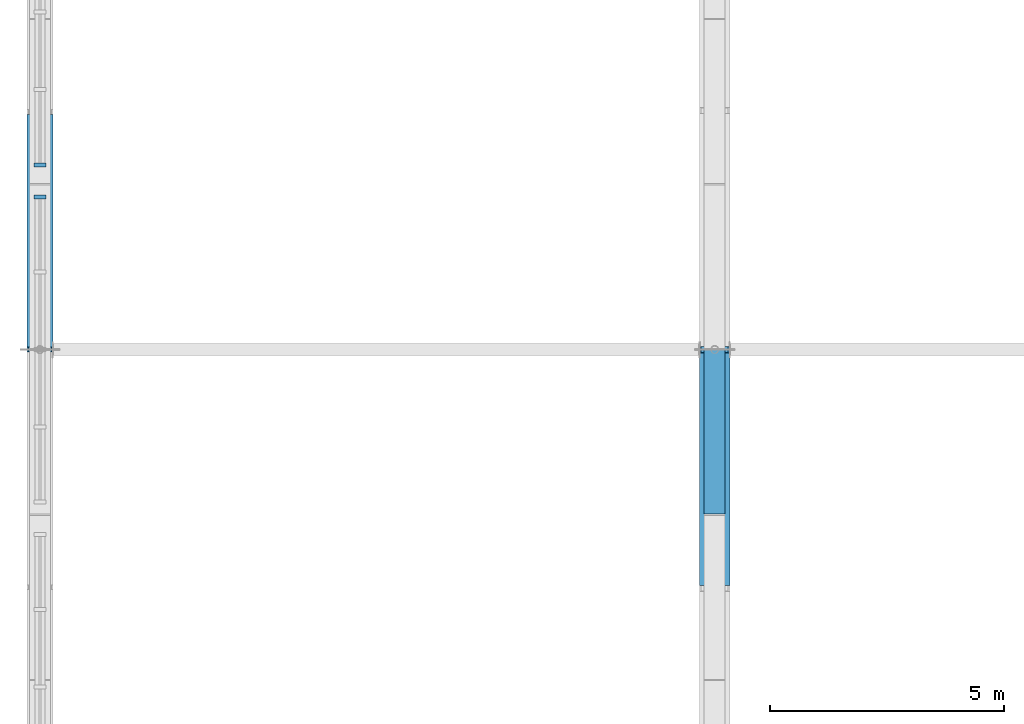
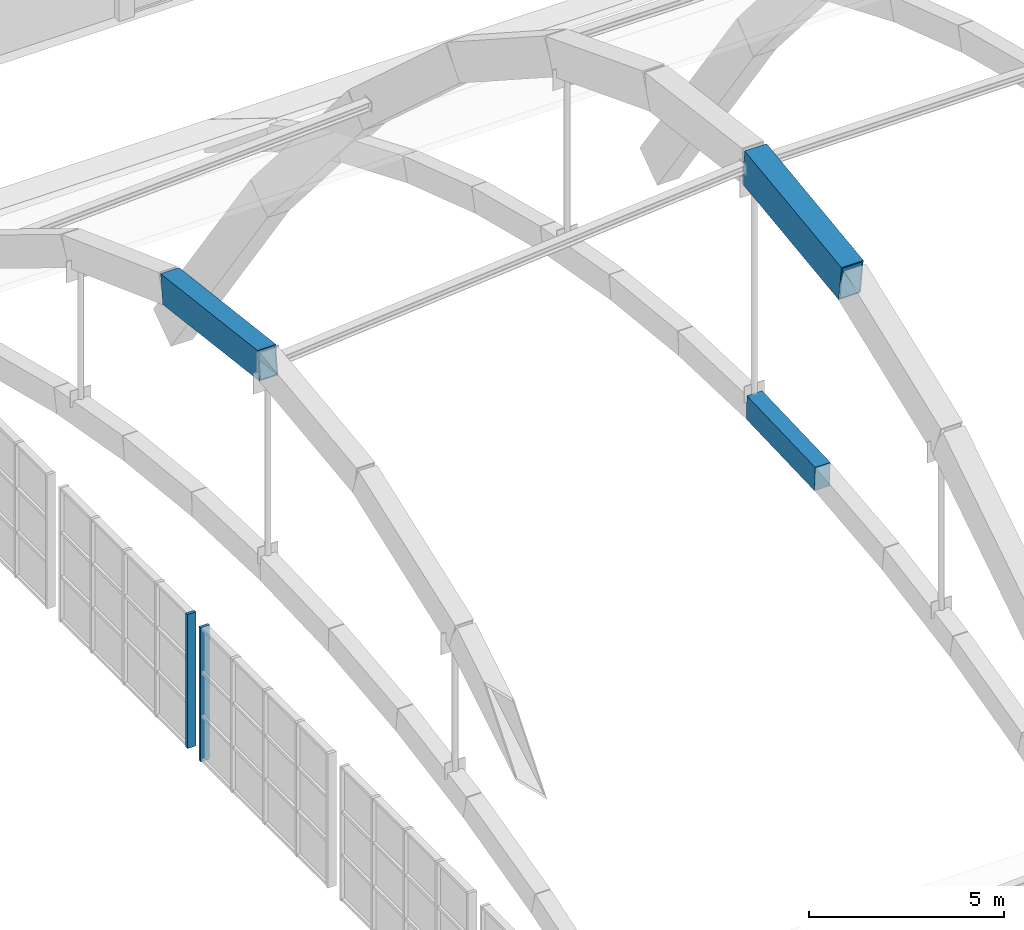
# One storey, part 6 of 64: 4 members, 1 beam, 2 elements without a shape of their own.
"""IFC4 building model written with IfcOpenShell, lengths in metres."""

import ifcopenshell
import ifcopenshell.guid

model = None  # the IFC model being written
_history = None  # IfcOwnerHistory: only IFC2X3 demands one
_inside = {}  # id of a spatial element -> (the spatial element, [elements in it])
_under = {}  # id of a project, library or spatial element -> (it, [spatial elements below it])
_declared = {}  # id of a project -> (the project, [libraries it declares])
_typed = {}  # id of a type object -> (the type object, [elements of that type])
_made_of = {}  # id of a material, layer set ... -> (it, [elements and type objects made of it])


def new_model(schema):
    """Start an empty IFC model of exactly this schema.

    Asked for "IFC4X3", IfcOpenShell would pick the latest addendum, in which some entities
    have other attributes; the version numbers below select the first issue.
    IFC2X3 requires an IfcOwnerHistory on every rooted entity: one is made here for all.
    """
    global model, _history
    if schema == "IFC4X3":
        model = ifcopenshell.file(schema_version=(4, 3, 0, 0))
    else:
        model = ifcopenshell.file(schema=schema)
    _inside.clear()
    _under.clear()
    _declared.clear()
    _typed.clear()
    _made_of.clear()
    _history = None
    if model.schema == "IFC2X3":
        org = make("IfcOrganization", Name="unknown")
        user = make(
            "IfcPersonAndOrganization",
            ThePerson=make("IfcPerson", FamilyName="unknown"),
            TheOrganization=org,
        )
        app = make(
            "IfcApplication",
            ApplicationDeveloper=org,
            Version="unknown",
            ApplicationFullName="unknown",
            ApplicationIdentifier="unknown",
        )
        _history = make(
            "IfcOwnerHistory",
            OwningUser=user,
            OwningApplication=app,
            ChangeAction="ADDED",
            CreationDate=0,
        )
    return model


def make(cls, **values):
    """One entity of the class cls with the attributes given. An attribute that is None is left unset."""
    return model.create_entity(
        cls, **{name: value for name, value in values.items() if value is not None}
    )


def rooted(cls, **values):
    """An entity with a GlobalId (a new one), such as an element, a storey or a relation."""
    return make(cls, GlobalId=ifcopenshell.guid.new(), OwnerHistory=_history, **values)


def si_unit(unit_type, name, prefix=None):
    """IfcSIUnit, for example si_unit("LENGTHUNIT", "METRE", prefix="MILLI")."""
    return make("IfcSIUnit", UnitType=unit_type, Prefix=prefix, Name=name)


def assignment(units):
    """IfcUnitAssignment: the units of a project."""
    return None if units is None else make("IfcUnitAssignment", Units=units)


def point(xyz):
    """IfcCartesianPoint."""
    return None if xyz is None else make("IfcCartesianPoint", Coordinates=xyz)


def direction(xyz):
    """IfcDirection."""
    return None if xyz is None else make("IfcDirection", DirectionRatios=xyz)


def frame(location, z_axis=None, x_axis=None):
    """IfcAxis2Placement3D, a coordinate frame: its origin and axes. An axis left out is left unset."""
    return make(
        "IfcAxis2Placement3D",
        Location=point(location),
        Axis=direction(z_axis),
        RefDirection=direction(x_axis),
    )


def frame_2d(location, x_axis=None):
    """IfcAxis2Placement2D, a coordinate frame in the plane: its origin and x axis."""
    return make(
        "IfcAxis2Placement2D", Location=point(location), RefDirection=direction(x_axis)
    )


def origin():
    """The frame at (0, 0, 0) with its axes left unset."""
    return frame((0.0, 0.0, 0.0))


def origin_2d():
    """The frame at (0, 0) in the plane with its x axis left unset."""
    return frame_2d((0.0, 0.0))


def place(relative_to, where):
    """IfcLocalPlacement: puts the frame where relative to a parent placement (None: the world)."""
    return make(
        "IfcLocalPlacement", PlacementRelTo=relative_to, RelativePlacement=where
    )


def context(
    kind, dimensions, precision=None, world=None, true_north=None, identifier=None
):
    """IfcGeometricRepresentationContext, for example the 3D "Model" context."""
    return make(
        "IfcGeometricRepresentationContext",
        ContextIdentifier=identifier,
        ContextType=kind,
        CoordinateSpaceDimension=dimensions,
        Precision=precision,
        WorldCoordinateSystem=world,
        TrueNorth=true_north,
    )


def subcontext(parent, identifier, kind, view, scale=None):
    """IfcGeometricRepresentationSubContext, for example "Body" below "Model"."""
    return make(
        "IfcGeometricRepresentationSubContext",
        ContextIdentifier=identifier,
        ContextType=kind,
        ParentContext=parent,
        TargetScale=scale,
        TargetView=view,
    )


def project(units=None, contexts=None):
    """IfcProject with its units and contexts."""
    return rooted(
        "IfcProject",
        Name="project",
        RepresentationContexts=contexts,
        UnitsInContext=assignment(units),
    )


def spatial(cls, under=None, at=None, **own):
    """A site, building, storey or space (cls), placed at a placement, below another one or the project."""
    s = rooted(cls, ObjectPlacement=at, **own)
    if under is not None:
        _under.setdefault(under.id(), (under, []))[1].append(s)
    return s


def profile(cls, at=None, kind="AREA", **sizes):
    """A parametric profile (cls). Its sizes go by their IFC names, for example OverallWidth=200.0."""
    return make(cls, ProfileType=kind, Position=at, **sizes)


def rectangle(**sizes):
    """IfcRectangleProfileDef."""
    return profile("IfcRectangleProfileDef", **sizes)


def hollow_rectangle(**sizes):
    """IfcRectangleHollowProfileDef."""
    return profile("IfcRectangleHollowProfileDef", **sizes)


def extrude(swept, where, along, depth):
    """IfcExtrudedAreaSolid: the profile swept, set in the frame where, extruded along a direction by depth."""
    return make(
        "IfcExtrudedAreaSolid",
        SweptArea=swept,
        Position=where,
        ExtrudedDirection=direction(along),
        Depth=depth,
    )


def shape(context_of_items, identifier, shape_type, items):
    """IfcShapeRepresentation: the items that make up one representation, for example the "Body"."""
    return make(
        "IfcShapeRepresentation",
        ContextOfItems=context_of_items,
        RepresentationIdentifier=identifier,
        RepresentationType=shape_type,
        Items=items,
    )


def material(Name=None, Category=None):
    """IfcMaterial."""
    return make("IfcMaterial", Name=Name, Category=Category)


def material_profile(
    of_material, cross_section, Name=None, Category=None, Priority=None
):
    """IfcMaterialProfile: a cross section and its material."""
    return make(
        "IfcMaterialProfile",
        Name=Name,
        Material=of_material,
        Profile=cross_section,
        Priority=Priority,
        Category=Category,
    )


def profile_set(profiles, Name=None, composite=None):
    """IfcMaterialProfileSet."""
    return make(
        "IfcMaterialProfileSet",
        Name=Name,
        MaterialProfiles=profiles,
        CompositeProfile=composite,
    )


def made_of(thing, what):
    """Note that an element or type object is made of a material, layer set ...; save() writes the relation."""
    if what is not None:
        _made_of.setdefault(what.id(), (what, []))[1].append(thing)
    return thing


def type_object(cls, material=None, **own):
    """A type object (cls), such as IfcWallType, which elements share."""
    return made_of(rooted(cls, **own), material)


def element(
    cls,
    number,
    at=None,
    inside=None,
    cuts=None,
    type_object=None,
    material=None,
    context=None,
    identifier="Body",
    shape_type=None,
    held_by="IfcProductDefinitionShape",
    body=None,
    shapes=None,
    **own,
):
    """One element of the class cls, such as IfcWall. Its Tag is "e" and its number.

    at: its placement. inside: the storey or other place that contains it. cuts: it is an
    opening in that element (IfcRelVoidsElement). A single representation is given by context,
    identifier, shape_type and body (its items); several are given by shapes. held_by: the class
    of the entity that holds the representations. save() writes the other relations.
    """
    e = rooted(cls, Tag="e%d" % number, ObjectPlacement=at, **own)
    if body is not None:
        shapes = [shape(context, identifier, shape_type, body)]
    if shapes is not None:
        e.Representation = make(held_by, Representations=shapes)
    if inside is not None:
        _inside.setdefault(inside.id(), (inside, []))[1].append(e)
    if cuts is not None:
        rooted(
            "IfcRelVoidsElement", RelatingBuildingElement=cuts, RelatedOpeningElement=e
        )
    if type_object is not None:
        _typed.setdefault(type_object.id(), (type_object, []))[1].append(e)
    return made_of(e, material)


def aggregate(whole, parts):
    """IfcRelAggregates: a whole, such as a stair, and the parts it consists of."""
    return rooted("IfcRelAggregates", RelatingObject=whole, RelatedObjects=parts)


def save(model, path):
    """Write the relations noted so far, then the file.

    IfcRelAggregates (storeys below a building ...), IfcRelContainedInSpatialStructure (elements
    in a storey), IfcRelDefinesByType, IfcRelAssociatesMaterial and IfcRelDeclares: one each for
    every whole, place, type object, material and project.
    """
    for whole, parts in _under.values():
        aggregate(whole, parts)
    for where, things in _inside.values():
        rooted(
            "IfcRelContainedInSpatialStructure",
            RelatedElements=things,
            RelatingStructure=where,
        )
    for kind, things in _typed.values():
        rooted("IfcRelDefinesByType", RelatedObjects=things, RelatingType=kind)
    for what, things in _made_of.values():
        rooted("IfcRelAssociatesMaterial", RelatedObjects=things, RelatingMaterial=what)
    for by, libraries in _declared.values():
        rooted("IfcRelDeclares", RelatingContext=by, RelatedDefinitions=libraries)
    model.write(path)


model = new_model("IFC4")

# Units and contexts
model_context = context("Model", 3, precision=1e-05, world=origin(), true_north=direction((0.0, 1.0)))
body_context = subcontext(model_context, "Body", "Model", "MODEL_VIEW")
ifc_project = project(units=[si_unit("LENGTHUNIT", "METRE"), si_unit("AREAUNIT", "SQUARE_METRE"), si_unit("VOLUMEUNIT", "CUBIC_METRE"), si_unit("PLANEANGLEUNIT", "RADIAN"), si_unit("MASSUNIT", "GRAM", prefix="KILO")], contexts=[model_context])

# Site, building, storey
site_placement = place(None, origin())
site = spatial("IfcSite", under=ifc_project, at=site_placement, CompositionType="ELEMENT")
building_placement = place(site_placement, origin())
building = spatial("IfcBuilding", under=site, at=building_placement, Name="Leyfeld Transit Interchange", CompositionType="ELEMENT")
storey_placement = place(building_placement, frame((0.0, 0.0, 9.60009765625)))
storey = spatial("IfcBuildingStorey", under=building, at=storey_placement, Name="L02", CompositionType="ELEMENT", Elevation=9.60009765625)

# Beam
ifc_material_1 = material(Name="Concrete C40/50", Category="concrete")
ifc_material_profile_1 = material_profile(ifc_material_1, rectangle(XDim=0.449951171875, YDim=0.75, at=origin_2d()), Name="RC 750x450 RIB")
ifc_profile_set_1 = profile_set([ifc_material_profile_1], Name="Concrete C40/50")
beam_type = type_object("IfcBeamType", Name="BM-RIB-750x450", PredefinedType="USERDEFINED", material=ifc_profile_set_1)
beam_placement = place(storey_placement, frame((14.39990234375, 28.89990234375, 7.317626953125), z_axis=(0.0, 0.999387477159, 0.034995292518), x_axis=(-1.0, 0.0, 0.0)))
element("IfcBeam", 1, at=beam_placement, inside=storey, type_object=beam_type, Name="Concourse Vault Rib A2 Seg 8", ObjectType="ARCH_RIB", PredefinedType="USERDEFINED", context=body_context, shape_type="SweptSolid", body=[
    extrude(rectangle(XDim=0.449951171875, YDim=0.75, at=origin_2d()), origin(), (0.0, 0.0, 1.0), 3.502197265625),
])

# Curtain wall, member
ifc_material_2 = material(Name="Anodised aluminium EN AW-6060 T66", Category="aluminium")
curtain_wall_type = type_object("IfcCurtainWallType", Name="CW-SYS-GAB-7200", PredefinedType="NOTDEFINED", material=ifc_material_2)
curtain_wall_1_placement = place(storey_placement, origin())
curtain_wall_1 = element("IfcCurtainWall", 2, at=curtain_wall_1_placement, inside=storey, type_object=curtain_wall_type, Name="Curtain Wall CW-L02-GABW-03", PredefinedType="NOTDEFINED")
ifc_material_profile_2 = material_profile(ifc_material_2, rectangle(XDim=0.0849609375, YDim=0.260009765625, at=origin_2d()), Name="CW-M 85x260")
ifc_profile_set_2 = profile_set([ifc_material_profile_2], Name="Anodised aluminium EN AW-6060 T66")
member_type_1 = type_object("IfcMemberType", Name="CW-MUL-220x80", PredefinedType="MULLION", material=ifc_profile_set_2)
member_1_placement = place(storey_placement, frame((0.0, 35.657470703125, -0.60009765625), z_axis=(0.0, 0.0, 1.0), x_axis=(0.0, 1.0, 0.0)))
member_1 = element("IfcMember", 3, at=member_1_placement, type_object=member_type_1, Name="Curtain Mullion CW-L02-GABW-03-M05", PredefinedType="MULLION", context=body_context, shape_type="SweptSolid", body=[
    extrude(rectangle(XDim=0.0849609375, YDim=0.260009765625, at=origin_2d()), origin(), (0.0, 0.0, 1.0), 4.199951171875),
])
aggregate(curtain_wall_1, [member_1])

curtain_wall_2_placement = place(storey_placement, origin())
curtain_wall_2 = element("IfcCurtainWall", 4, at=curtain_wall_2_placement, inside=storey, type_object=curtain_wall_type, Name="Curtain Wall CW-L02-GABW-04", PredefinedType="NOTDEFINED")
member_2_placement = place(storey_placement, frame((0.0, 36.342529296875, -0.60009765625), z_axis=(0.0, 0.0, 1.0), x_axis=(0.0, 1.0, 0.0)))
member_2 = element("IfcMember", 5, at=member_2_placement, type_object=member_type_1, Name="Curtain Mullion CW-L02-GABW-04-M01", PredefinedType="MULLION", context=body_context, shape_type="SweptSolid", body=[
    extrude(rectangle(XDim=0.0849609375, YDim=0.260009765625, at=origin_2d()), origin(), (0.0, 0.0, 1.0), 4.199951171875),
])
aggregate(curtain_wall_2, [member_2])

# Members
ifc_material_3 = material(Name="Steel S355J2 - Ochre Arch", Category="steel")
ifc_material_profile_3 = material_profile(ifc_material_3, hollow_rectangle(XDim=0.64990234375, YDim=1.10009765625, WallThickness=0.035888671875, at=origin_2d()), Name="RHS 1100x650x36")
ifc_profile_set_3 = profile_set([ifc_material_profile_3], Name="Steel S355J2 - Ochre Arch")
member_type_2 = type_object("IfcMemberType", Name="MEM-ARCH-1100", PredefinedType="USERDEFINED", material=ifc_profile_set_3)
member_3_placement = place(storey_placement, frame((14.39990234375, 27.433349609375, 14.358154296875), z_axis=(0.0, 0.991752498374, 0.128167788341), x_axis=(-1.0, 0.0, 0.0)))
element("IfcMember", 6, at=member_3_placement, inside=storey, type_object=member_type_2, Name="Primary Steel Arch AR-01 Seg 6", ObjectType="ARCH_SEGMENT", PredefinedType="USERDEFINED", context=body_context, shape_type="SweptSolid", body=[
    extrude(hollow_rectangle(XDim=0.64990234375, YDim=1.10009765625, WallThickness=0.035888671875, at=origin_2d()), origin(), (0.0, 0.0, 1.0), 5.0078125),
])
ifc_material_profile_4 = material_profile(ifc_material_3, hollow_rectangle(XDim=0.550048828125, YDim=0.89990234375, WallThickness=0.031982421875, at=origin_2d()), Name="RHS 900x550x32")
ifc_profile_set_4 = profile_set([ifc_material_profile_4], Name="Steel S355J2 - Ochre Arch")
member_type_3 = type_object("IfcMemberType", Name="MEM-ARCH-900", PredefinedType="USERDEFINED", material=ifc_profile_set_4)
member_4_placement = place(storey_placement, frame((0.0, 32.39990234375, 13.7998046875), z_axis=(0.0, 0.992586989301, -0.121536285408), x_axis=(-1.0, 0.0, 0.0)))
element("IfcMember", 7, at=member_4_placement, inside=storey, type_object=member_type_3, Name="Primary Steel Arch GP-W Seg 7", ObjectType="ARCH_SEGMENT", PredefinedType="USERDEFINED", context=body_context, shape_type="SweptSolid", body=[
    extrude(hollow_rectangle(XDim=0.550048828125, YDim=0.89990234375, WallThickness=0.031982421875, at=origin_2d()), origin(), (0.0, 0.0, 1.0), 5.00390625),
])

save(model, "model.ifc")
